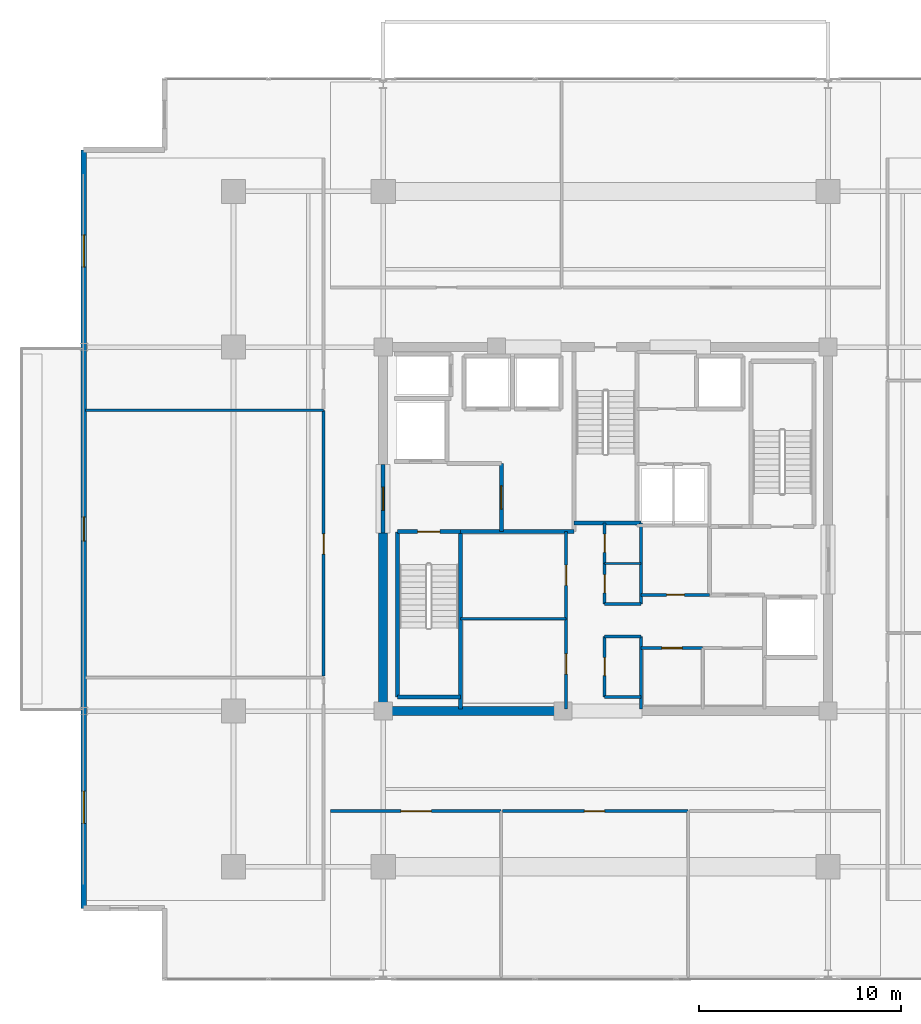
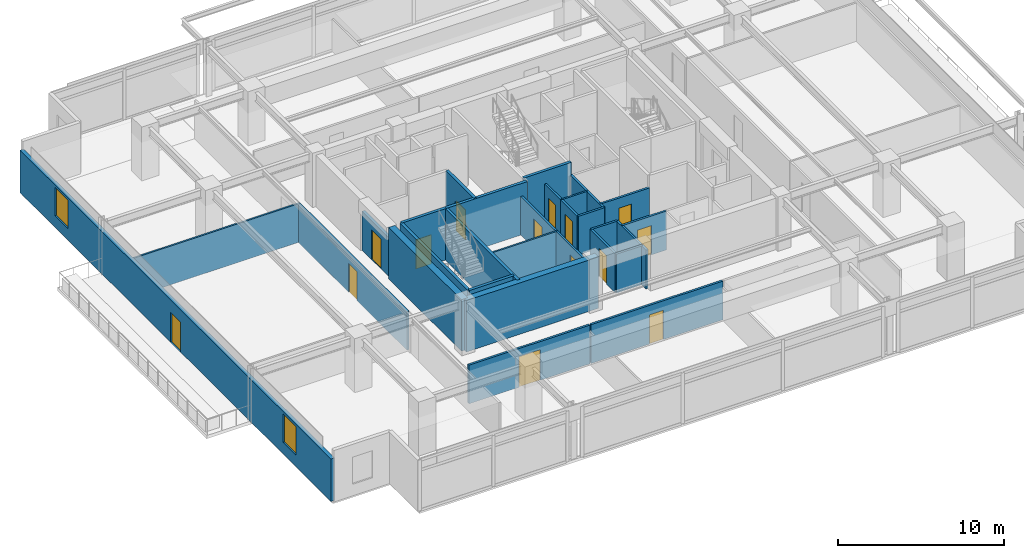
# One storey, part 13 of 20: 29 walls, 14 doors, 2 windows, 16 openings.
"""IFC4 building model written with IfcOpenShell, lengths in metres."""

from ifc_helpers import new_model, si_unit, direction, frame, frame_2d, origin, place, context, subcontext, project, spatial, rectangle, extrude, material, layer, layer_set, type_object, element, fill, save


model = new_model("IFC4")

# Units and contexts
model_context = context("Model", 3, precision=1e-05, world=origin(), true_north=direction((0.0, 1.0)))
body_context = subcontext(model_context, "Body", "Model", "MODEL_VIEW")
ifc_project = project(units=[si_unit("LENGTHUNIT", "METRE"), si_unit("AREAUNIT", "SQUARE_METRE"), si_unit("VOLUMEUNIT", "CUBIC_METRE"), si_unit("PLANEANGLEUNIT", "RADIAN"), si_unit("MASSUNIT", "GRAM", prefix="KILO")], contexts=[model_context])

# Site, building, storey
site_placement = place(None, origin())
site = spatial("IfcSite", under=ifc_project, at=site_placement, CompositionType="ELEMENT")
building_placement = place(site_placement, origin())
building = spatial("IfcBuilding", under=site, at=building_placement, Name="Kovane Verandah Tower", CompositionType="ELEMENT")
storey_placement = place(building_placement, frame((0.0, 0.0, 279.199951171875)))
storey = spatial("IfcBuildingStorey", under=building, at=storey_placement, Name="L65", CompositionType="ELEMENT", Elevation=279.199951171875)

# Walls
ifc_material_1 = material(Name="Fire-Rated Gypsum Stud Partition", Category="gypsum")
ifc_layer_1 = layer(ifc_material_1, 0.14990234375)
ifc_layer_set_1 = layer_set([ifc_layer_1], Name="Fire-Rated Gypsum Stud Partition")
wall_type_1 = type_object("IfcWallType", Name="WL-COR-150", PredefinedType="PARTITIONING", material=ifc_layer_set_1)
for number, where, z_axis, x_axis, name in (
    (1, (39.949951171875, 19.199951171875, 0.0), (0.0, 0.0, 1.0), (1.0, 0.0, 0.0), "L65 Central Core Strip South Wall"),
    (2, (39.949951171875, 22.199951171875, 0.0), (0.0, 0.0, 1.0), (1.0, 0.0, 0.0), "L65 Core Cross-Passage South Wall"),
    (3, (39.949951171875, 23.800048828125, 0.0), (0.0, 0.0, 1.0), (1.0, 0.0, 0.0), "L65 Core Cross-Passage North Wall"),
):
    element("IfcWall", number, at=place(storey_placement, frame(where, z_axis=z_axis, x_axis=x_axis)), inside=storey, type_object=wall_type_1, Name=name, PredefinedType="PARTITIONING", context=body_context, shape_type="SweptSolid", body=[
        extrude(rectangle(XDim=1.81005859375, YDim=0.14990234375, at=frame_2d((0.905029296875, 0.0))), origin(), (0.0, 0.0, 1.0), 2.85009765625),
    ])
wall_1_placement = place(storey_placement, frame((41.760009765625, 18.60009765625, 0.0), z_axis=(0.0, 0.0, 1.0), x_axis=(0.0, 1.0, 0.0)))
element("IfcWall", 4, at=wall_1_placement, inside=storey, type_object=wall_type_1, Name="L65 Central Core Strip Lower East Wall", PredefinedType="PARTITIONING", context=body_context, shape_type="SweptSolid", body=[
    extrude(rectangle(XDim=3.599853515625, YDim=0.14990234375, at=frame_2d((1.7998046875, 0.0))), origin(), (0.0, 0.0, 1.0), 2.85009765625),
])
wall_2_placement = place(storey_placement, frame((41.760009765625, 23.800048828125, 0.0), z_axis=(0.0, 0.0, 1.0), x_axis=(0.0, 1.0, 0.0)))
element("IfcWall", 5, at=wall_2_placement, inside=storey, type_object=wall_type_1, Name="L65 Central Core Strip Upper East Wall", PredefinedType="PARTITIONING", context=body_context, shape_type="SweptSolid", body=[
    extrude(rectangle(XDim=4.0, YDim=0.14990234375, at=frame_2d((2.0, 0.0))), origin(), (0.0, 0.0, 1.0), 2.85009765625),
])

# Wall, opening, door
wall_3_placement = place(storey_placement, frame((39.949951171875, 19.199951171875, 0.0), z_axis=(0.0, 0.0, 1.0), x_axis=(0.0, 1.0, 0.0)))
wall_3 = element("IfcWall", 6, at=wall_3_placement, inside=storey, type_object=wall_type_1, Name="L65 Male Toilet Partition", PredefinedType="PARTITIONING", context=body_context, shape_type="SweptSolid", body=[
    extrude(rectangle(XDim=3.0, YDim=0.14990234375, at=frame_2d((1.5, 0.0))), origin(), (0.0, 0.0, 1.0), 2.85009765625),
])
opening_1_placement = place(wall_3_placement, frame((1.050048828125, 0.0, 0.0)))
opening_1 = element("IfcOpeningElement", 7, at=opening_1_placement, cuts=wall_3, Name="Opening DR-L65-029", PredefinedType="OPENING", context=body_context, shape_type="SweptSolid", body=[
    extrude(rectangle(XDim=0.89990234375, YDim=2.10009765625, at=frame_2d((0.449951171875, 1.050048828125))), frame((0.0, 0.074951171875, 0.0), z_axis=(0.0, -1.0, 0.0), x_axis=(1.0, 0.0, 0.0)), (0.0, 0.0, 1.0), 0.14990234375),
])
ifc_material_2 = material(Name="Moisture-Resistant Laminate Washroom Door", Category="wood")
door_type_1 = type_object("IfcDoorType", Name="DR-WC-900", OperationType="SINGLE_SWING_LEFT", PredefinedType="DOOR", material=ifc_material_2)
door_1_placement = place(opening_1_placement, origin())
door_1 = element("IfcDoor", 8, at=door_1_placement, inside=storey, type_object=door_type_1, Name="L65 Male Toilet Door", OperationType="SINGLE_SWING_RIGHT", OverallHeight=2.10009765625, OverallWidth=0.89990234375, PredefinedType="DOOR", context=body_context, shape_type="SweptSolid", body=[
    extrude(rectangle(XDim=0.89990234375, YDim=2.10009765625, at=frame_2d((0.449951171875, 1.050048828125))), frame((0.0, 0.02490234375, 0.0), z_axis=(0.0, -1.0, 0.0), x_axis=(1.0, 0.0, 0.0)), (0.0, 0.0, 1.0), 0.050048828125),
])
fill(opening_1, door_1)

wall_4_placement = place(storey_placement, frame((39.949951171875, 23.800048828125, 0.0), z_axis=(0.0, 0.0, 1.0), x_axis=(0.0, 1.0, 0.0)))
wall_4 = element("IfcWall", 9, at=wall_4_placement, inside=storey, type_object=wall_type_1, Name="L65 Female Toilet Partition", PredefinedType="PARTITIONING", context=body_context, shape_type="SweptSolid", body=[
    extrude(rectangle(XDim=2.0, YDim=0.14990234375, at=frame_2d((1.0, 0.0))), origin(), (0.0, 0.0, 1.0), 2.85009765625),
])
opening_2_placement = place(wall_4_placement, frame((0.550048828125, 0.0, 0.0)))
opening_2 = element("IfcOpeningElement", 10, at=opening_2_placement, cuts=wall_4, Name="Opening DR-L65-028", PredefinedType="OPENING", context=body_context, shape_type="SweptSolid", body=[
    extrude(rectangle(XDim=0.89990234375, YDim=2.10009765625, at=frame_2d((0.449951171875, 1.050048828125))), frame((0.0, 0.074951171875, 0.0), z_axis=(0.0, -1.0, 0.0), x_axis=(1.0, 0.0, 0.0)), (0.0, 0.0, 1.0), 0.14990234375),
])
door_2_placement = place(opening_2_placement, origin())
door_2 = element("IfcDoor", 11, at=door_2_placement, inside=storey, type_object=door_type_1, Name="L65 Female Toilet Door", OperationType="SINGLE_SWING_LEFT", OverallHeight=2.10009765625, OverallWidth=0.89990234375, PredefinedType="DOOR", context=body_context, shape_type="SweptSolid", body=[
    extrude(rectangle(XDim=0.89990234375, YDim=2.10009765625, at=frame_2d((0.449951171875, 1.050048828125))), frame((0.0, 0.02490234375, 0.0), z_axis=(0.0, -1.0, 0.0), x_axis=(1.0, 0.0, 0.0)), (0.0, 0.0, 1.0), 0.050048828125),
])
fill(opening_2, door_2)

wall_5_placement = place(storey_placement, frame((39.949951171875, 25.800048828125, 0.0), z_axis=(0.0, 0.0, 1.0), x_axis=(0.0, 1.0, 0.0)))
wall_5 = element("IfcWall", 12, at=wall_5_placement, inside=storey, type_object=wall_type_1, Name="L65 Accessible Unisex Toilet Partition", PredefinedType="PARTITIONING", context=body_context, shape_type="SweptSolid", body=[
    extrude(rectangle(XDim=2.0, YDim=0.14990234375, at=frame_2d((1.0, 0.0))), origin(), (0.0, 0.0, 1.0), 2.85009765625),
])
opening_3_placement = place(wall_5_placement, frame((0.550048828125, 0.0, 0.0)))
opening_3 = element("IfcOpeningElement", 13, at=opening_3_placement, cuts=wall_5, Name="Opening DR-L65-027", PredefinedType="OPENING", context=body_context, shape_type="SweptSolid", body=[
    extrude(rectangle(XDim=0.89990234375, YDim=2.10009765625, at=frame_2d((0.449951171875, 1.050048828125))), frame((0.0, 0.074951171875, 0.0), z_axis=(0.0, -1.0, 0.0), x_axis=(1.0, 0.0, 0.0)), (0.0, 0.0, 1.0), 0.14990234375),
])
door_3_placement = place(opening_3_placement, origin())
door_3 = element("IfcDoor", 14, at=door_3_placement, inside=storey, type_object=door_type_1, Name="L65 Accessible Unisex Toilet Door", OperationType="SINGLE_SWING_RIGHT", OverallHeight=2.10009765625, OverallWidth=0.89990234375, PredefinedType="DOOR", context=body_context, shape_type="SweptSolid", body=[
    extrude(rectangle(XDim=0.89990234375, YDim=2.10009765625, at=frame_2d((0.449951171875, 1.050048828125))), frame((0.0, 0.02490234375, 0.0), z_axis=(0.0, -1.0, 0.0), x_axis=(1.0, 0.0, 0.0)), (0.0, 0.0, 1.0), 0.050048828125),
])
fill(opening_3, door_3)

wall_6_placement = place(storey_placement, frame((38.050048828125, 18.60009765625, 0.0), z_axis=(0.0, 0.0, 1.0), x_axis=(0.0, 1.0, 0.0)))
wall_6 = element("IfcWall", 15, at=wall_6_placement, inside=storey, type_object=wall_type_1, Name="L65 IT Server Room Partition", PredefinedType="PARTITIONING", context=body_context, shape_type="SweptSolid", body=[
    extrude(rectangle(XDim=4.4599609375, YDim=0.14990234375, at=frame_2d((2.22998046875, 0.0))), origin(), (0.0, 0.0, 1.0), 2.85009765625),
])
opening_4_placement = place(wall_6_placement, frame((1.72998046875, 0.0, 0.0)))
opening_4 = element("IfcOpeningElement", 16, at=opening_4_placement, cuts=wall_6, Name="Opening DR-L65-014", PredefinedType="OPENING", context=body_context, shape_type="SweptSolid", body=[
    extrude(rectangle(XDim=1.0, YDim=2.14990234375, at=frame_2d((0.5, 1.074951171875))), frame((0.0, 0.074951171875, 0.0), z_axis=(0.0, -1.0, 0.0), x_axis=(1.0, 0.0, 0.0)), (0.0, 0.0, 1.0), 0.14990234375),
])
ifc_material_3 = material(Name="FSC Spotted-Gum Timber Fire-Rated Office Door", Category="wood")
door_type_2 = type_object("IfcDoorType", Name="DR-OFF-1000", OperationType="SINGLE_SWING_LEFT", PredefinedType="DOOR", material=ifc_material_3)
door_4_placement = place(opening_4_placement, origin())
door_4 = element("IfcDoor", 17, at=door_4_placement, inside=storey, type_object=door_type_2, Name="L65 IT Server Room Door", OperationType="SINGLE_SWING_LEFT", OverallHeight=2.14990234375, OverallWidth=1.0, PredefinedType="DOOR", context=body_context, shape_type="SweptSolid", body=[
    extrude(rectangle(XDim=1.0, YDim=2.14990234375, at=frame_2d((0.5, 1.074951171875))), frame((0.0, 0.02490234375, 0.0), z_axis=(0.0, -1.0, 0.0), x_axis=(1.0, 0.0, 0.0)), (0.0, 0.0, 1.0), 0.050048828125),
])
fill(opening_4, door_4)

wall_7_placement = place(storey_placement, frame((38.050048828125, 23.06005859375, 0.0), z_axis=(0.0, 0.0, 1.0), x_axis=(0.0, 1.0, 0.0)))
wall_7 = element("IfcWall", 18, at=wall_7_placement, inside=storey, type_object=wall_type_1, Name="L65 Telecom MDF Room Partition", PredefinedType="PARTITIONING", context=body_context, shape_type="SweptSolid", body=[
    extrude(rectangle(XDim=4.31982421875, YDim=0.14990234375, at=frame_2d((2.159912109375, 0.0))), origin(), (0.0, 0.0, 1.0), 2.85009765625),
])
opening_5_placement = place(wall_7_placement, frame((1.659912109375, 0.0, 0.0)))
opening_5 = element("IfcOpeningElement", 19, at=opening_5_placement, cuts=wall_7, Name="Opening DR-L65-015", PredefinedType="OPENING", context=body_context, shape_type="SweptSolid", body=[
    extrude(rectangle(XDim=1.0, YDim=2.14990234375, at=frame_2d((0.5, 1.074951171875))), frame((0.0, 0.074951171875, 0.0), z_axis=(0.0, -1.0, 0.0), x_axis=(1.0, 0.0, 0.0)), (0.0, 0.0, 1.0), 0.14990234375),
])
door_5_placement = place(opening_5_placement, origin())
door_5 = element("IfcDoor", 20, at=door_5_placement, inside=storey, type_object=door_type_2, Name="L65 Telecom MDF Room Door", OperationType="SINGLE_SWING_RIGHT", OverallHeight=2.14990234375, OverallWidth=1.0, PredefinedType="DOOR", context=body_context, shape_type="SweptSolid", body=[
    extrude(rectangle(XDim=1.0, YDim=2.14990234375, at=frame_2d((0.5, 1.074951171875))), frame((0.0, 0.02490234375, 0.0), z_axis=(0.0, -1.0, 0.0), x_axis=(1.0, 0.0, 0.0)), (0.0, 0.0, 1.0), 0.050048828125),
])
fill(opening_5, door_5)

wall_8_placement = place(storey_placement, frame((41.760009765625, 21.6201171875, 0.0), z_axis=(0.0, 0.0, 1.0), x_axis=(1.0, 0.0, 0.0)))
wall_8 = element("IfcWall", 21, at=wall_8_placement, inside=storey, type_object=wall_type_1, Name="L65 AV Control Room Partition", PredefinedType="PARTITIONING", context=body_context, shape_type="SweptSolid", body=[
    extrude(rectangle(XDim=3.0400390625, YDim=0.14990234375, at=frame_2d((1.52001953125, 0.0))), origin(), (0.0, 0.0, 1.0), 2.85009765625),
])
opening_6_placement = place(wall_8_placement, frame((1.02001953125, 0.0, 0.0)))
opening_6 = element("IfcOpeningElement", 22, at=opening_6_placement, cuts=wall_8, Name="Opening DR-L65-016", PredefinedType="OPENING", context=body_context, shape_type="SweptSolid", body=[
    extrude(rectangle(XDim=1.0, YDim=2.14990234375, at=frame_2d((0.5, 1.074951171875))), frame((0.0, 0.074951171875, 0.0), z_axis=(0.0, -1.0, 0.0), x_axis=(1.0, 0.0, 0.0)), (0.0, 0.0, 1.0), 0.14990234375),
])
door_6_placement = place(opening_6_placement, origin())
door_6 = element("IfcDoor", 23, at=door_6_placement, inside=storey, type_object=door_type_2, Name="L65 AV Control Room Door", OperationType="SINGLE_SWING_LEFT", OverallHeight=2.14990234375, OverallWidth=1.0, PredefinedType="DOOR", context=body_context, shape_type="SweptSolid", body=[
    extrude(rectangle(XDim=1.0, YDim=2.14990234375, at=frame_2d((0.5, 1.074951171875))), frame((0.0, 0.02490234375, 0.0), z_axis=(0.0, -1.0, 0.0), x_axis=(1.0, 0.0, 0.0)), (0.0, 0.0, 1.0), 0.050048828125),
])
fill(opening_6, door_6)

wall_9_placement = place(storey_placement, frame((41.760009765625, 24.25, 0.0), z_axis=(0.0, 0.0, 1.0), x_axis=(1.0, 0.0, 0.0)))
wall_9 = element("IfcWall", 24, at=wall_9_placement, inside=storey, type_object=wall_type_1, Name="L65 Cleaner Store Partition", PredefinedType="PARTITIONING", context=body_context, shape_type="SweptSolid", body=[
    extrude(rectangle(XDim=3.389892578125, YDim=0.14990234375, at=frame_2d((1.69482421875, 0.0))), origin(), (0.0, 0.0, 1.0), 2.85009765625),
])
opening_7_placement = place(wall_9_placement, frame((1.2548828125, 0.0, 0.0)))
opening_7 = element("IfcOpeningElement", 25, at=opening_7_placement, cuts=wall_9, Name="Opening DR-L65-018", PredefinedType="OPENING", context=body_context, shape_type="SweptSolid", body=[
    extrude(rectangle(XDim=0.8798828125, YDim=2.10009765625, at=frame_2d((0.43994140625, 1.050048828125))), frame((0.0, 0.074951171875, 0.0), z_axis=(0.0, -1.0, 0.0), x_axis=(1.0, 0.0, 0.0)), (0.0, 0.0, 1.0), 0.14990234375),
])
ifc_material_4 = material(Name="Fire-Rated Steel Riser Access Door", Category="steel")
door_type_3 = type_object("IfcDoorType", Name="DR-RISER-880", OperationType="SINGLE_SWING_LEFT", PredefinedType="DOOR", material=ifc_material_4)
door_7_placement = place(opening_7_placement, origin())
door_7 = element("IfcDoor", 26, at=door_7_placement, inside=storey, type_object=door_type_3, Name="L65 Cleaner Store Door", OperationType="SINGLE_SWING_LEFT", OverallHeight=2.10009765625, OverallWidth=0.8798828125, PredefinedType="DOOR", context=body_context, shape_type="SweptSolid", body=[
    extrude(rectangle(XDim=0.8798828125, YDim=2.10009765625, at=frame_2d((0.43994140625, 1.050048828125))), frame((0.0, 0.02490234375, 0.0), z_axis=(0.0, -1.0, 0.0), x_axis=(1.0, 0.0, 0.0)), (0.0, 0.0, 1.0), 0.050048828125),
])
fill(opening_7, door_7)

wall_10_placement = place(storey_placement, frame((26.39990234375, 13.550048828125, 0.0), z_axis=(0.0, 0.0, 1.0), x_axis=(1.0, 0.0, 0.0)))
wall_10 = element("IfcWall", 27, at=wall_10_placement, inside=storey, type_object=wall_type_1, Name="L65 Client Boardroom S1 Corridor Partition", PredefinedType="PARTITIONING", context=body_context, shape_type="SweptSolid", body=[
    extrude(rectangle(XDim=8.43212890625, YDim=0.14990234375, at=frame_2d((4.216064453125, 0.0))), origin(), (0.0, 0.0, 1.0), 2.85009765625),
])
opening_8_placement = place(wall_10_placement, frame((3.48095703125, 0.0, 0.0)))
opening_8 = element("IfcOpeningElement", 28, at=opening_8_placement, cuts=wall_10, Name="Opening DR-L65-024", PredefinedType="OPENING", context=body_context, shape_type="SweptSolid", body=[
    extrude(rectangle(XDim=1.5, YDim=2.25, at=frame_2d((0.75, 1.125))), frame((0.0, 0.074951171875, 0.0), z_axis=(0.0, -1.0, 0.0), x_axis=(1.0, 0.0, 0.0)), (0.0, 0.0, 1.0), 0.14990234375),
])
ifc_material_5 = material(Name="Glazed Timber Fire-Rated Double Door", Category="wood")
door_type_4 = type_object("IfcDoorType", Name="DR-CONF-1500", OperationType="DOUBLE_DOOR_SINGLE_SWING", PredefinedType="DOOR", material=ifc_material_5)
door_8_placement = place(opening_8_placement, origin())
door_8 = element("IfcDoor", 29, at=door_8_placement, inside=storey, type_object=door_type_4, Name="L65 Client Boardroom S1 Entrance Door", OperationType="DOUBLE_DOOR_SINGLE_SWING", OverallHeight=2.25, OverallWidth=1.5, PredefinedType="DOOR", context=body_context, shape_type="SweptSolid", body=[
    extrude(rectangle(XDim=1.5, YDim=2.25, at=frame_2d((0.75, 1.125))), frame((0.0, 0.02490234375, 0.0), z_axis=(0.0, -1.0, 0.0), x_axis=(1.0, 0.0, 0.0)), (0.0, 0.0, 1.0), 0.050048828125),
])
fill(opening_8, door_8)

wall_11_placement = place(storey_placement, frame((34.902099609375, 13.550048828125, 0.0), z_axis=(0.0, 0.0, 1.0), x_axis=(1.0, 0.0, 0.0)))
wall_11 = element("IfcWall", 30, at=wall_11_placement, inside=storey, type_object=wall_type_1, Name="L65 Meeting Room S2 Corridor Partition", PredefinedType="PARTITIONING", context=body_context, shape_type="SweptSolid", body=[
    extrude(rectangle(XDim=9.177978515625, YDim=0.14990234375, at=frame_2d((4.5888671875, 0.0))), origin(), (0.0, 0.0, 1.0), 2.85009765625),
])
opening_9_placement = place(wall_11_placement, frame((4.053955078125, 0.0, 0.0)))
opening_9 = element("IfcOpeningElement", 31, at=opening_9_placement, cuts=wall_11, Name="Opening DR-L65-025", PredefinedType="OPENING", context=body_context, shape_type="SweptSolid", body=[
    extrude(rectangle(XDim=1.0, YDim=2.14990234375, at=frame_2d((0.5, 1.074951171875))), frame((0.0, 0.074951171875, 0.0), z_axis=(0.0, -1.0, 0.0), x_axis=(1.0, 0.0, 0.0)), (0.0, 0.0, 1.0), 0.14990234375),
])
door_9_placement = place(opening_9_placement, origin())
door_9 = element("IfcDoor", 32, at=door_9_placement, inside=storey, type_object=door_type_2, Name="L65 Meeting Room S2 Entrance Door", OperationType="SINGLE_SWING_RIGHT", OverallHeight=2.14990234375, OverallWidth=1.0, PredefinedType="DOOR", context=body_context, shape_type="SweptSolid", body=[
    extrude(rectangle(XDim=1.0, YDim=2.14990234375, at=frame_2d((0.5, 1.074951171875))), frame((0.0, 0.02490234375, 0.0), z_axis=(0.0, -1.0, 0.0), x_axis=(1.0, 0.0, 0.0)), (0.0, 0.0, 1.0), 0.050048828125),
])
fill(opening_9, door_9)

wall_12_placement = place(storey_placement, frame((26.050048828125, 20.2275390625, 0.0), z_axis=(0.0, 0.0, 1.0), x_axis=(0.0, 1.0, 0.0)))
wall_12 = element("IfcWall", 33, at=wall_12_placement, inside=storey, type_object=wall_type_1, Name="L65 Collaboration Hub W2 Corridor Partition", PredefinedType="PARTITIONING", context=body_context, shape_type="SweptSolid", body=[
    extrude(rectangle(XDim=13.146484375, YDim=0.14990234375, at=frame_2d((6.5732421875, 0.0))), origin(), (0.0, 0.0, 1.0), 2.85009765625),
])
opening_10_placement = place(wall_12_placement, frame((6.038330078125, 0.0, 0.0)))
opening_10 = element("IfcOpeningElement", 34, at=opening_10_placement, cuts=wall_12, Name="Opening DR-L65-031", PredefinedType="OPENING", context=body_context, shape_type="SweptSolid", body=[
    extrude(rectangle(XDim=1.0, YDim=2.14990234375, at=frame_2d((0.5, 1.074951171875))), frame((0.0, 0.074951171875, 0.0), z_axis=(0.0, -1.0, 0.0), x_axis=(1.0, 0.0, 0.0)), (0.0, 0.0, 1.0), 0.14990234375),
])
door_10_placement = place(opening_10_placement, origin())
door_10 = element("IfcDoor", 35, at=door_10_placement, inside=storey, type_object=door_type_2, Name="L65 Collaboration Hub W2 Entrance Door", OperationType="SINGLE_SWING_LEFT", OverallHeight=2.14990234375, OverallWidth=1.0, PredefinedType="DOOR", context=body_context, shape_type="SweptSolid", body=[
    extrude(rectangle(XDim=1.0, YDim=2.14990234375, at=frame_2d((0.5, 1.074951171875))), frame((0.0, 0.02490234375, 0.0), z_axis=(0.0, -1.0, 0.0), x_axis=(1.0, 0.0, 0.0)), (0.0, 0.0, 1.0), 0.050048828125),
])
fill(opening_10, door_10)

# Walls
ifc_material_6 = material(Name="Concrete C60/75", Category="concrete")
ifc_layer_2 = layer(ifc_material_6, 0.449951171875)
ifc_layer_set_2 = layer_set([ifc_layer_2], Name="Concrete C60/75")
wall_type_2 = type_object("IfcWallType", Name="WL-CORE-450", PredefinedType="SHEAR", material=ifc_layer_set_2)
wall_13_placement = place(storey_placement, frame((29.0, 18.5, 0.0), z_axis=(0.0, 0.0, 1.0), x_axis=(1.0, 0.0, 0.0)))
element("IfcWall", 36, at=wall_13_placement, inside=storey, type_object=wall_type_2, Name="L65 Core Shear Wall CS-1", PredefinedType="SHEAR", context=body_context, shape_type="SweptSolid", body=[
    extrude(rectangle(XDim=9.199951171875, YDim=0.449951171875, at=frame_2d((4.60009765625, 0.0))), origin(), (0.0, 0.0, 1.0), 3.78515625),
])
wall_14_placement = place(storey_placement, frame((29.0, 18.5, 0.0), z_axis=(0.0, 0.0, 1.0), x_axis=(0.0, 1.0, 0.0)))
element("IfcWall", 37, at=wall_14_placement, inside=storey, type_object=wall_type_2, Name="L65 Core Shear Wall CW-1", PredefinedType="SHEAR", context=body_context, shape_type="SweptSolid", body=[
    extrude(rectangle(XDim=8.800048828125, YDim=0.449951171875, at=frame_2d((4.39990234375, 0.0))), origin(), (0.0, 0.0, 1.0), 3.78515625),
])

# Wall, opening, door
ifc_material_7 = material(Name="Concrete C45/55 Fire Wall", Category="concrete")
ifc_layer_3 = layer(ifc_material_7, 0.199951171875)
ifc_layer_set_3 = layer_set([ifc_layer_3], Name="Concrete C45/55 Fire Wall")
wall_type_3 = type_object("IfcWallType", Name="WL-FFL-200", PredefinedType="PARTITIONING", material=ifc_layer_set_3)
wall_15_placement = place(storey_placement, frame((34.85009765625, 27.3798828125, 0.0), z_axis=(0.0, 0.0, 1.0), x_axis=(0.0, 1.0, 0.0)))
wall_15 = element("IfcWall", 38, at=wall_15_placement, inside=storey, type_object=wall_type_3, Name="W-L65-FFLW-E", PredefinedType="PARTITIONING", context=body_context, shape_type="SweptSolid", body=[
    extrude(rectangle(XDim=3.3701171875, YDim=0.199951171875, at=frame_2d((1.68505859375, 0.0))), origin(), (0.0, 0.0, 1.0), 3.78515625),
])
opening_11_placement = place(wall_15_placement, frame((1.110107421875, 0.0, 0.0)))
opening_11 = element("IfcOpeningElement", 39, at=opening_11_placement, cuts=wall_15, Name="Opening DR-L65-006", PredefinedType="OPENING", context=body_context, shape_type="SweptSolid", body=[
    extrude(rectangle(XDim=1.14990234375, YDim=2.199951171875, at=frame_2d((0.574951171875, 1.10009765625))), frame((0.0, 0.10009765625, 0.0), z_axis=(0.0, -1.0, 0.0), x_axis=(1.0, 0.0, 0.0)), (0.0, 0.0, 1.0), 0.199951171875),
])
ifc_material_8 = material(Name="Smoke-Sealed Firefighting Lobby Door", Category="steel")
door_type_5 = type_object("IfcDoorType", Name="DR-FFL-1150", OperationType="SINGLE_SWING_LEFT", PredefinedType="DOOR", material=ifc_material_8)
door_11_placement = place(opening_11_placement, origin())
door_11 = element("IfcDoor", 40, at=door_11_placement, inside=storey, type_object=door_type_5, Name="L65 West Firefighting Lobby Inner Door", OperationType="SINGLE_SWING_LEFT", OverallHeight=2.199951171875, OverallWidth=1.14990234375, PredefinedType="DOOR", context=body_context, shape_type="SweptSolid", body=[
    extrude(rectangle(XDim=1.14990234375, YDim=2.199951171875, at=frame_2d((0.574951171875, 1.10009765625))), frame((0.0, 0.02490234375, 0.0), z_axis=(0.0, -1.0, 0.0), x_axis=(1.0, 0.0, 0.0)), (0.0, 0.0, 1.0), 0.050048828125),
])
fill(opening_11, door_11)

wall_16_placement = place(storey_placement, frame((29.0, 27.300048828125, 0.0), z_axis=(0.0, 0.0, 1.0), x_axis=(0.0, 1.0, 0.0)))
wall_16 = element("IfcWall", 41, at=wall_16_placement, inside=storey, type_object=wall_type_3, Name="W-L65-FFLW-OUT", PredefinedType="PARTITIONING", context=body_context, shape_type="SweptSolid", body=[
    extrude(rectangle(XDim=3.39990234375, YDim=0.199951171875, at=frame_2d((1.699951171875, 0.0))), origin(), (0.0, 0.0, 1.0), 2.864990234375),
])
opening_12_placement = place(wall_16_placement, frame((1.125, 0.0, 0.0)))
opening_12 = element("IfcOpeningElement", 42, at=opening_12_placement, cuts=wall_16, Name="Opening DR-L65-007", PredefinedType="OPENING", context=body_context, shape_type="SweptSolid", body=[
    extrude(rectangle(XDim=1.14990234375, YDim=2.199951171875, at=frame_2d((0.574951171875, 1.10009765625))), frame((0.0, 0.10009765625, 0.0), z_axis=(0.0, -1.0, 0.0), x_axis=(1.0, 0.0, 0.0)), (0.0, 0.0, 1.0), 0.199951171875),
])
door_12_placement = place(opening_12_placement, origin())
door_12 = element("IfcDoor", 43, at=door_12_placement, inside=storey, type_object=door_type_5, Name="L65 West Firefighting Lobby Corridor Door", OperationType="SINGLE_SWING_RIGHT", OverallHeight=2.199951171875, OverallWidth=1.14990234375, PredefinedType="DOOR", context=body_context, shape_type="SweptSolid", body=[
    extrude(rectangle(XDim=1.14990234375, YDim=2.199951171875, at=frame_2d((0.574951171875, 1.10009765625))), frame((0.0, 0.02490234375, 0.0), z_axis=(0.0, -1.0, 0.0), x_axis=(1.0, 0.0, 0.0)), (0.0, 0.0, 1.0), 0.050048828125),
])
fill(opening_12, door_12)

# Walls
wall_17_placement = place(storey_placement, frame((32.820068359375, 27.3798828125, 0.0), z_axis=(0.0, 0.0, 1.0), x_axis=(1.0, 0.0, 0.0)))
element("IfcWall", 44, at=wall_17_placement, inside=storey, type_object=wall_type_3, Name="L65 West Firefighting Lobby South Fire Wall", PredefinedType="PARTITIONING", context=body_context, shape_type="SweptSolid", body=[
    extrude(rectangle(XDim=5.619873046875, YDim=0.199951171875, at=frame_2d((2.81005859375, 0.0))), origin(), (0.0, 0.0, 1.0), 3.78515625),
])
ifc_material_9 = material(Name="Acoustic Fire-Rated Gypsum Partition", Category="gypsum")
ifc_layer_4 = layer(ifc_material_9, 0.1201171875)
ifc_layer_set_4 = layer_set([ifc_layer_4], Name="Acoustic Fire-Rated Gypsum Partition")
wall_type_4 = type_object("IfcWallType", Name="WL-PART-120", PredefinedType="PARTITIONING", material=ifc_layer_set_4)
wall_18_placement = place(storey_placement, frame((39.949951171875, 25.800048828125, 0.0), z_axis=(0.0, 0.0, 1.0), x_axis=(1.0, 0.0, 0.0)))
element("IfcWall", 45, at=wall_18_placement, inside=storey, type_object=wall_type_4, Name="L65 Central Core Strip Upper Dividing Partition", PredefinedType="PARTITIONING", context=body_context, shape_type="SweptSolid", body=[
    extrude(rectangle(XDim=1.81005859375, YDim=0.1201171875, at=frame_2d((0.905029296875, 0.0))), origin(), (0.0, 0.0, 1.0), 2.85009765625),
])
wall_19_placement = place(storey_placement, frame((32.820068359375, 23.06005859375, 0.0), z_axis=(0.0, 0.0, 1.0), x_axis=(1.0, 0.0, 0.0)))
element("IfcWall", 46, at=wall_19_placement, inside=storey, type_object=wall_type_4, Name="L65 Core Support Dividing Partition", PredefinedType="PARTITIONING", context=body_context, shape_type="SweptSolid", body=[
    extrude(rectangle(XDim=5.22998046875, YDim=0.1201171875, at=frame_2d((2.614990234375, 0.0))), origin(), (0.0, 0.0, 1.0), 2.85009765625),
])
wall_20_placement = place(storey_placement, frame((14.290283203125, 33.3740234375, 0.0), z_axis=(0.0, 0.0, 1.0), x_axis=(1.0, 0.0, 0.0)))
element("IfcWall", 47, at=wall_20_placement, inside=storey, type_object=wall_type_4, Name="L65 Collaboration Hub W2 Dividing Partition", PredefinedType="PARTITIONING", context=body_context, shape_type="SweptSolid", body=[
    extrude(rectangle(XDim=11.759765625, YDim=0.1201171875, at=frame_2d((5.8798828125, 0.0))), origin(), (0.0, 0.0, 1.0), 2.85009765625),
])
ifc_material_10 = material(Name="Concrete C45/55", Category="concrete")
ifc_layer_5 = layer(ifc_material_10, 0.199951171875)
ifc_layer_set_5 = layer_set([ifc_layer_5], Name="Concrete C45/55")
wall_type_5 = type_object("IfcWallType", Name="WL-SHAFT-200", PredefinedType="SOLIDWALL", material=ifc_layer_set_5)
wall_21_placement = place(storey_placement, frame((29.699951171875, 19.199951171875, 0.0), z_axis=(0.0, 0.0, 1.0), x_axis=(0.0, 1.0, 0.0)))
element("IfcWall", 48, at=wall_21_placement, inside=storey, type_object=wall_type_5, Name="W-L65-ST01-W", PredefinedType="SOLIDWALL", context=body_context, shape_type="SweptSolid", body=[
    extrude(rectangle(XDim=8.150146484375, YDim=0.199951171875, at=frame_2d((4.0751953125, 0.0))), origin(), (0.0, 0.0, 1.0), 3.78515625),
])
wall_22_placement = place(storey_placement, frame((29.699951171875, 19.199951171875, 0.0), z_axis=(0.0, 0.0, 1.0), x_axis=(1.0, 0.0, 0.0)))
element("IfcWall", 49, at=wall_22_placement, inside=storey, type_object=wall_type_5, Name="W-L65-ST01-S", PredefinedType="SOLIDWALL", context=body_context, shape_type="SweptSolid", body=[
    extrude(rectangle(XDim=3.1201171875, YDim=0.199951171875, at=frame_2d((1.56005859375, 0.0))), origin(), (0.0, 0.0, 1.0), 3.78515625),
])
wall_23_placement = place(storey_placement, frame((32.820068359375, 18.60009765625, 0.0), z_axis=(0.0, 0.0, 1.0), x_axis=(0.0, 1.0, 0.0)))
element("IfcWall", 50, at=wall_23_placement, inside=storey, type_object=wall_type_5, Name="W-L65-ST01-E", PredefinedType="SOLIDWALL", context=body_context, shape_type="SweptSolid", body=[
    extrude(rectangle(XDim=8.77978515625, YDim=0.199951171875, at=frame_2d((4.389892578125, 0.0))), origin(), (0.0, 0.0, 1.0), 3.78515625),
])

# Wall, opening, door
wall_24_placement = place(storey_placement, frame((29.699951171875, 27.3798828125, 0.0), z_axis=(0.0, 0.0, 1.0), x_axis=(1.0, 0.0, 0.0)))
wall_24 = element("IfcWall", 51, at=wall_24_placement, inside=storey, type_object=wall_type_5, Name="W-L65-ST01-N", PredefinedType="SOLIDWALL", context=body_context, shape_type="SweptSolid", body=[
    extrude(rectangle(XDim=3.1201171875, YDim=0.199951171875, at=frame_2d((1.56005859375, 0.0))), origin(), (0.0, 0.0, 1.0), 3.78515625),
])
opening_13_placement = place(wall_24_placement, frame((1.010009765625, 0.0, 0.0)))
opening_13 = element("IfcOpeningElement", 52, at=opening_13_placement, cuts=wall_24, Name="Opening DR-L65-008", PredefinedType="OPENING", context=body_context, shape_type="SweptSolid", body=[
    extrude(rectangle(XDim=1.10009765625, YDim=2.14990234375, at=frame_2d((0.550048828125, 1.074951171875))), frame((0.0, 0.10009765625, 0.0), z_axis=(0.0, -1.0, 0.0), x_axis=(1.0, 0.0, 0.0)), (0.0, 0.0, 1.0), 0.199951171875),
])
ifc_material_11 = material(Name="Fire-Rated Steel Exit Door", Category="steel")
door_type_6 = type_object("IfcDoorType", Name="DR-STAIR-1100", OperationType="SINGLE_SWING_LEFT", PredefinedType="DOOR", material=ifc_material_11)
door_13_placement = place(opening_13_placement, origin())
door_13 = element("IfcDoor", 53, at=door_13_placement, inside=storey, type_object=door_type_6, Name="L65 ST-01 Fire Exit Stair Door", OperationType="SINGLE_SWING_LEFT", OverallHeight=2.14990234375, OverallWidth=1.10009765625, PredefinedType="DOOR", context=body_context, shape_type="SweptSolid", body=[
    extrude(rectangle(XDim=1.10009765625, YDim=2.14990234375, at=frame_2d((0.550048828125, 1.074951171875))), frame((0.0, 0.02490234375, 0.0), z_axis=(0.0, -1.0, 0.0), x_axis=(1.0, 0.0, 0.0)), (0.0, 0.0, 1.0), 0.050048828125),
])
fill(opening_13, door_13)

# Wall
wall_25_placement = place(storey_placement, frame((38.43994140625, 27.800048828125, 0.0), z_axis=(0.0, 0.0, 1.0), x_axis=(1.0, 0.0, 0.0)))
element("IfcWall", 54, at=wall_25_placement, inside=storey, type_object=wall_type_5, Name="W-L65-ST03-S", PredefinedType="SOLIDWALL", context=body_context, shape_type="SweptSolid", body=[
    extrude(rectangle(XDim=3.320068359375, YDim=0.199951171875, at=frame_2d((1.66015625, 0.0))), origin(), (0.0, 0.0, 1.0), 3.78515625),
])

# Wall, openings, door, windows
ifc_material_12 = material(Name="Concrete C45/55 Insulated Spandrel Wall", Category="concrete")
ifc_layer_6 = layer(ifc_material_12, 0.260009765625)
ifc_layer_set_6 = layer_set([ifc_layer_6], Name="Concrete C45/55 Insulated Spandrel Wall")
wall_type_6 = type_object("IfcWallType", Name="WL-SPANDREL-260", PredefinedType="PARAPET", material=ifc_layer_set_6)
wall_26_placement = place(storey_placement, frame((14.190185546875, 46.25634765625, 0.0), z_axis=(0.0, 0.0, 1.0), x_axis=(0.0, -1.0, 0.0)))
wall_26 = element("IfcWall", 55, at=wall_26_placement, inside=storey, type_object=wall_type_6, Name="L65 W Verandah Access Facade Wall", PredefinedType="PARAPET", context=body_context, shape_type="SweptSolid", body=[
    extrude(rectangle(XDim=37.5126953125, YDim=0.260009765625, at=frame_2d((18.75634765625, 0.0))), origin(), (0.0, 0.0, 1.0), 3.122802734375),
])
opening_14_placement = place(wall_26_placement, frame((4.199951171875, 0.0, 0.85009765625)))
opening_14 = element("IfcOpeningElement", 56, at=opening_14_placement, cuts=wall_26, Name="Opening W-02", PredefinedType="OPENING", context=body_context, shape_type="SweptSolid", body=[
    extrude(rectangle(XDim=1.60009765625, YDim=2.10009765625, at=frame_2d((0.800048828125, 1.050048828125))), frame((0.0, 0.1298828125, 0.0), z_axis=(0.0, -1.0, 0.0), x_axis=(1.0, 0.0, 0.0)), (0.0, 0.0, 1.0), 0.260009765625),
])
opening_15_placement = place(wall_26_placement, frame((18.15625, 0.0, 0.0)))
opening_15 = element("IfcOpeningElement", 57, at=opening_15_placement, cuts=wall_26, Name="Opening DR-L65-002", PredefinedType="OPENING", context=body_context, shape_type="SweptSolid", body=[
    extrude(rectangle(XDim=1.199951171875, YDim=2.199951171875, at=frame_2d((0.60009765625, 1.10009765625))), frame((0.0, 0.1298828125, 0.0), z_axis=(0.0, -1.0, 0.0), x_axis=(1.0, 0.0, 0.0)), (0.0, 0.0, 1.0), 0.260009765625),
])
opening_16_placement = place(wall_26_placement, frame((31.712646484375, 0.0, 0.85009765625)))
opening_16 = element("IfcOpeningElement", 58, at=opening_16_placement, cuts=wall_26, Name="Opening W-02", PredefinedType="OPENING", context=body_context, shape_type="SweptSolid", body=[
    extrude(rectangle(XDim=1.60009765625, YDim=2.10009765625, at=frame_2d((0.800048828125, 1.050048828125))), frame((0.0, 0.1298828125, 0.0), z_axis=(0.0, -1.0, 0.0), x_axis=(1.0, 0.0, 0.0)), (0.0, 0.0, 1.0), 0.260009765625),
])
ifc_material_13 = material(Name="Cyclone-Rated Glazed Balcony Leaf Door", Category="aluminium")
door_type_7 = type_object("IfcDoorType", Name="DR-BAL-1200x2200", OperationType="SINGLE_SWING_LEFT", PredefinedType="DOOR", material=ifc_material_13)
door_14_placement = place(opening_15_placement, origin())
door_14 = element("IfcDoor", 59, at=door_14_placement, inside=storey, type_object=door_type_7, Name="L65 W Planted Balcony Access Door", OperationType="SINGLE_SWING_LEFT", OverallHeight=2.199951171875, OverallWidth=1.199951171875, PredefinedType="DOOR", context=body_context, shape_type="SweptSolid", body=[
    extrude(rectangle(XDim=1.199951171875, YDim=2.199951171875, at=frame_2d((0.60009765625, 1.10009765625))), frame((0.0, 0.02490234375, 0.0), z_axis=(0.0, -1.0, 0.0), x_axis=(1.0, 0.0, 0.0)), (0.0, 0.0, 1.0), 0.050048828125),
])
fill(opening_15, door_14)
ifc_material_14 = material(Name="Clear Low-E Laminated Double Glazing in Anodised Frame", Category="glass")
window_type = type_object("IfcWindowType", Name="WN-OPER-1600x2100", PartitioningType="SINGLE_PANEL", PredefinedType="WINDOW", material=ifc_material_14)
window_1_placement = place(opening_14_placement, origin())
window_1 = element("IfcWindow", 60, at=window_1_placement, inside=storey, type_object=window_type, Name="L65 W Verandah View Window 1", OverallHeight=2.10009765625, OverallWidth=1.60009765625, PartitioningType="SINGLE_PANEL", PredefinedType="WINDOW", context=body_context, shape_type="SweptSolid", body=[
    extrude(rectangle(XDim=1.60009765625, YDim=2.10009765625, at=frame_2d((0.800048828125, 1.050048828125))), frame((0.0, 0.030029296875, 0.0), z_axis=(0.0, -1.0, 0.0), x_axis=(1.0, 0.0, 0.0)), (0.0, 0.0, 1.0), 0.06005859375),
])
fill(opening_14, window_1)
window_2_placement = place(opening_16_placement, origin())
window_2 = element("IfcWindow", 61, at=window_2_placement, inside=storey, type_object=window_type, Name="L65 W Verandah View Window 2", OverallHeight=2.10009765625, OverallWidth=1.60009765625, PartitioningType="SINGLE_PANEL", PredefinedType="WINDOW", context=body_context, shape_type="SweptSolid", body=[
    extrude(rectangle(XDim=1.60009765625, YDim=2.10009765625, at=frame_2d((0.800048828125, 1.050048828125))), frame((0.0, 0.030029296875, 0.0), z_axis=(0.0, -1.0, 0.0), x_axis=(1.0, 0.0, 0.0)), (0.0, 0.0, 1.0), 0.06005859375),
])
fill(opening_16, window_2)

save(model, "model.ifc")
